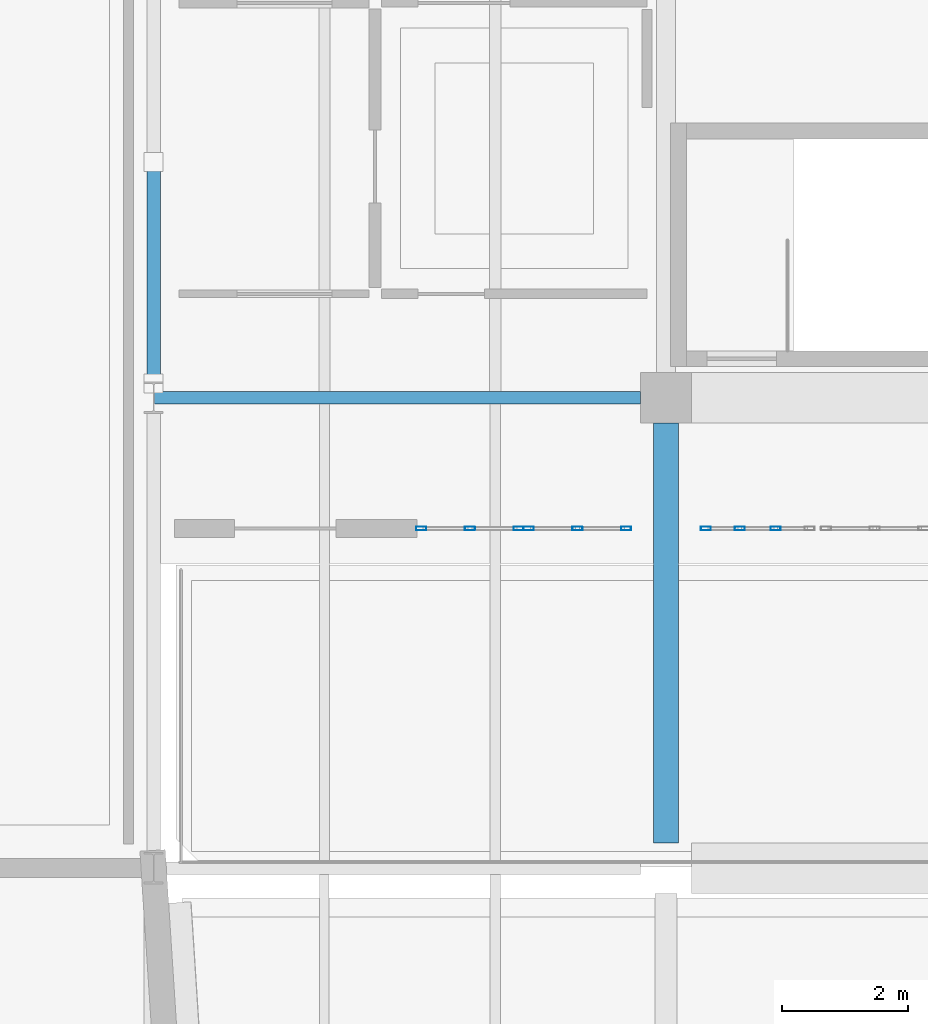
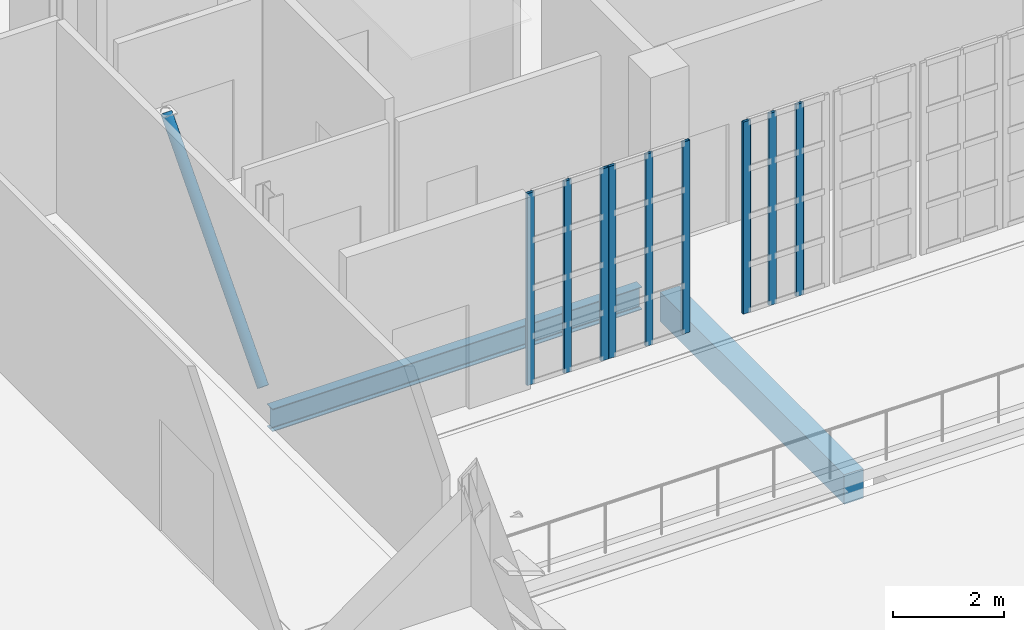
# One storey, part 7 of 56: 10 members, 2 beams, 3 elements without a shape of their own.
"""IFC4 building model written with IfcOpenShell, lengths in metres."""

from ifc_helpers import new_model, si_unit, direction, frame, origin, origin_2d, place, context, subcontext, project, spatial, rectangle, hollow_rectangle, hollow_circle, i_section, extrude, material, material_profile, profile_set, type_object, element, aggregate, save


model = new_model("IFC4")

# Units and contexts
model_context = context("Model", 3, precision=1e-05, world=origin(), true_north=direction((0.0, 1.0)))
body_context = subcontext(model_context, "Body", "Model", "MODEL_VIEW")
ifc_project = project(units=[si_unit("LENGTHUNIT", "METRE"), si_unit("AREAUNIT", "SQUARE_METRE"), si_unit("VOLUMEUNIT", "CUBIC_METRE"), si_unit("PLANEANGLEUNIT", "RADIAN"), si_unit("MASSUNIT", "GRAM", prefix="KILO")], contexts=[model_context])

# Site, building, storey
site_placement = place(None, origin())
site = spatial("IfcSite", under=ifc_project, at=site_placement, CompositionType="ELEMENT")
building_placement = place(site_placement, origin())
building = spatial("IfcBuilding", under=site, at=building_placement, Name="Kaelora Sail Theatre", CompositionType="ELEMENT")
storey_placement = place(building_placement, frame((0.0, 0.0, 14.699951171875)))
storey = spatial("IfcBuildingStorey", under=building, at=storey_placement, Name="L03", CompositionType="ELEMENT", Elevation=14.699951171875)

# Curtain wall, members
ifc_material_1 = material(Name="Anodised aluminium and solar-control low-E IGU", Category="aluminium")
curtain_wall_type = type_object("IfcCurtainWallType", Name="ARC-CW-CW-BRG", PredefinedType="NOTDEFINED", material=ifc_material_1)
curtain_wall_1_placement = place(storey_placement, origin())
curtain_wall_1 = element("IfcCurtainWall", 1, at=curtain_wall_1_placement, inside=storey, type_object=curtain_wall_type, Name="Glazed Foyer/Conservatory Curtain Wall FC1-S-L03-01", PredefinedType="NOTDEFINED")
ifc_material_2 = material(Name="Anodised aluminium 6063-T6", Category="aluminium")
ifc_material_profile_1 = material_profile(ifc_material_2, hollow_rectangle(XDim=0.06005859375, YDim=0.159912109375, WallThickness=0.00390625, InnerFilletRadius=0.00390625, OuterFilletRadius=0.008056640625, at=origin_2d()), Name="ALU-MULL 60x160x4")
ifc_profile_set_1 = profile_set([ifc_material_profile_1], Name="Anodised aluminium 6063-T6")
member_type_1 = type_object("IfcMemberType", Name="ARC-MEM-ML-160", PredefinedType="MULLION", material=ifc_profile_set_1)
member_1_placement = place(storey_placement, frame((62.429931640625, 66.389892578125, 0.0), z_axis=(0.0, 0.0, 1.0), x_axis=(0.0, 1.0, 0.0)))
member_1 = element("IfcMember", 2, at=member_1_placement, type_object=member_type_1, Name="CW-BRG mullion 1", PredefinedType="MULLION", context=body_context, shape_type="SweptSolid", body=[
    extrude(hollow_rectangle(XDim=0.06005859375, YDim=0.159912109375, WallThickness=0.00390625, InnerFilletRadius=0.00390625, OuterFilletRadius=0.008056640625, at=origin_2d()), origin(), (0.0, 0.0, 1.0), 4.22509765625),
])
member_2_placement = place(storey_placement, frame((63.199951171875, 66.389892578125, 0.0), z_axis=(0.0, 0.0, 1.0), x_axis=(0.0, 1.0, 0.0)))
member_2 = element("IfcMember", 3, at=member_2_placement, type_object=member_type_1, Name="CW-BRG mullion 2", PredefinedType="MULLION", context=body_context, shape_type="SweptSolid", body=[
    extrude(hollow_rectangle(XDim=0.06005859375, YDim=0.159912109375, WallThickness=0.00390625, InnerFilletRadius=0.00390625, OuterFilletRadius=0.008056640625, at=origin_2d()), origin(), (0.0, 0.0, 1.0), 4.22509765625),
])
member_3_placement = place(storey_placement, frame((63.969970703125, 66.389892578125, 0.0), z_axis=(0.0, 0.0, 1.0), x_axis=(0.0, 1.0, 0.0)))
member_3 = element("IfcMember", 4, at=member_3_placement, type_object=member_type_1, Name="CW-BRG mullion 3", PredefinedType="MULLION", context=body_context, shape_type="SweptSolid", body=[
    extrude(hollow_rectangle(XDim=0.06005859375, YDim=0.159912109375, WallThickness=0.00390625, InnerFilletRadius=0.00390625, OuterFilletRadius=0.008056640625, at=origin_2d()), origin(), (0.0, 0.0, 1.0), 4.22509765625),
])
aggregate(curtain_wall_1, [member_1, member_2, member_3])

curtain_wall_2_placement = place(storey_placement, origin())
curtain_wall_2 = element("IfcCurtainWall", 5, at=curtain_wall_2_placement, inside=storey, type_object=curtain_wall_type, Name="Glazed Foyer/Conservatory Curtain Wall FC1-S-L03-02", PredefinedType="NOTDEFINED")
member_4_placement = place(storey_placement, frame((64.1298828125, 66.389892578125, 0.0), z_axis=(0.0, 0.0, 1.0), x_axis=(0.0, 1.0, 0.0)))
member_4 = element("IfcMember", 6, at=member_4_placement, type_object=member_type_1, Name="CW-BRG mullion 1", PredefinedType="MULLION", context=body_context, shape_type="SweptSolid", body=[
    extrude(hollow_rectangle(XDim=0.06005859375, YDim=0.159912109375, WallThickness=0.00390625, InnerFilletRadius=0.00390625, OuterFilletRadius=0.008056640625, at=origin_2d()), origin(), (0.0, 0.0, 1.0), 4.22509765625),
])
member_5_placement = place(storey_placement, frame((64.89990234375, 66.389892578125, 0.0), z_axis=(0.0, 0.0, 1.0), x_axis=(0.0, 1.0, 0.0)))
member_5 = element("IfcMember", 7, at=member_5_placement, type_object=member_type_1, Name="CW-BRG mullion 2", PredefinedType="MULLION", context=body_context, shape_type="SweptSolid", body=[
    extrude(hollow_rectangle(XDim=0.06005859375, YDim=0.159912109375, WallThickness=0.00390625, InnerFilletRadius=0.00390625, OuterFilletRadius=0.008056640625, at=origin_2d()), origin(), (0.0, 0.0, 1.0), 4.22509765625),
])
member_6_placement = place(storey_placement, frame((65.669921875, 66.389892578125, 0.0), z_axis=(0.0, 0.0, 1.0), x_axis=(0.0, 1.0, 0.0)))
member_6 = element("IfcMember", 8, at=member_6_placement, type_object=member_type_1, Name="CW-BRG mullion 3", PredefinedType="MULLION", context=body_context, shape_type="SweptSolid", body=[
    extrude(hollow_rectangle(XDim=0.06005859375, YDim=0.159912109375, WallThickness=0.00390625, InnerFilletRadius=0.00390625, OuterFilletRadius=0.008056640625, at=origin_2d()), origin(), (0.0, 0.0, 1.0), 4.22509765625),
])
aggregate(curtain_wall_2, [member_4, member_5, member_6])

curtain_wall_3_placement = place(storey_placement, origin())
curtain_wall_3 = element("IfcCurtainWall", 9, at=curtain_wall_3_placement, inside=storey, type_object=curtain_wall_type, Name="Glazed Foyer/Conservatory Curtain Wall FC1-S-L03-03", PredefinedType="NOTDEFINED")
member_7_placement = place(storey_placement, frame((66.929931640625, 66.389892578125, 0.0), z_axis=(0.0, 0.0, 1.0), x_axis=(0.0, 1.0, 0.0)))
member_7 = element("IfcMember", 10, at=member_7_placement, type_object=member_type_1, Name="CW-BRG mullion 1", PredefinedType="MULLION", context=body_context, shape_type="SweptSolid", body=[
    extrude(hollow_rectangle(XDim=0.06005859375, YDim=0.159912109375, WallThickness=0.00390625, InnerFilletRadius=0.00390625, OuterFilletRadius=0.008056640625, at=origin_2d()), origin(), (0.0, 0.0, 1.0), 4.22509765625),
])
member_8_placement = place(storey_placement, frame((67.466552734375, 66.389892578125, 0.0), z_axis=(0.0, 0.0, 1.0), x_axis=(0.0, 1.0, 0.0)))
member_8 = element("IfcMember", 11, at=member_8_placement, type_object=member_type_1, Name="CW-BRG mullion 2", PredefinedType="MULLION", context=body_context, shape_type="SweptSolid", body=[
    extrude(hollow_rectangle(XDim=0.06005859375, YDim=0.159912109375, WallThickness=0.00390625, InnerFilletRadius=0.00390625, OuterFilletRadius=0.008056640625, at=origin_2d()), origin(), (0.0, 0.0, 1.0), 4.22509765625),
])
member_9_placement = place(storey_placement, frame((68.033447265625, 66.389892578125, 0.0), z_axis=(0.0, 0.0, 1.0), x_axis=(0.0, 1.0, 0.0)))
member_9 = element("IfcMember", 12, at=member_9_placement, type_object=member_type_1, Name="CW-BRG mullion 3", PredefinedType="MULLION", context=body_context, shape_type="SweptSolid", body=[
    extrude(hollow_rectangle(XDim=0.06005859375, YDim=0.159912109375, WallThickness=0.00390625, InnerFilletRadius=0.00390625, OuterFilletRadius=0.008056640625, at=origin_2d()), origin(), (0.0, 0.0, 1.0), 4.22509765625),
])
aggregate(curtain_wall_3, [member_7, member_8, member_9])

# Beams
ifc_material_3 = material(Name="Steel S355", Category="steel")
ifc_material_profile_2 = material_profile(ifc_material_3, i_section(OverallWidth=0.199951171875, OverallDepth=0.5, WebThickness=0.01025390625, FlangeThickness=0.01611328125, FilletRadius=0.02099609375, at=origin_2d()), Name="IPE 500")
ifc_profile_set_2 = profile_set([ifc_material_profile_2], Name="Steel S355")
beam_type_1 = type_object("IfcBeamType", Name="STR-BM-BM-IPE500", PredefinedType="BEAM", material=ifc_profile_set_2)
beam_1_placement = place(storey_placement, frame((58.208984375, 68.4599609375, -0.52490234375), z_axis=(1.0, 0.0, 0.0), x_axis=(0.0, 1.0, 0.0)))
element("IfcBeam", 13, at=beam_1_placement, inside=storey, type_object=beam_type_1, Name="Primary beam J 8-9 (L03)", PredefinedType="BEAM", context=body_context, shape_type="SweptSolid", body=[
    extrude(i_section(OverallWidth=0.199951171875, OverallDepth=0.5, WebThickness=0.01025390625, FlangeThickness=0.01611328125, FilletRadius=0.02099609375, at=origin_2d()), origin(), (0.0, 0.0, 1.0), 7.69091796875),
])
ifc_material_4 = material(Name="Concrete C40/50", Category="concrete")
ifc_material_profile_3 = material_profile(ifc_material_4, rectangle(XDim=0.39990234375, YDim=0.64990234375, at=origin_2d()), Name="RC-BM 400x650")
ifc_profile_set_3 = profile_set([ifc_material_profile_3], Name="Concrete C40/50")
beam_type_2 = type_object("IfcBeamType", Name="STR-BM-BM-RC4065", PredefinedType="BEAM", material=ifc_profile_set_3)
beam_2_placement = place(storey_placement, frame((66.300048828125, 61.419921875, -0.599853515625), z_axis=(0.0, 1.0, 0.0), x_axis=(-1.0, 0.0, 0.0)))
element("IfcBeam", 14, at=beam_2_placement, inside=storey, type_object=beam_type_2, Name="Primary beam 9 I-J (L03)", PredefinedType="BEAM", context=body_context, shape_type="SweptSolid", body=[
    extrude(rectangle(XDim=0.39990234375, YDim=0.64990234375, at=origin_2d()), origin(), (0.0, 0.0, 1.0), 6.64013671875),
])

# Member
ifc_material_5 = material(Name="Steel S355", Category="steel")
ifc_material_profile_4 = material_profile(ifc_material_5, hollow_circle(Radius=0.109619140625, WallThickness=0.010009765625, at=origin_2d()), Name="CHS 219.1x10.0")
ifc_profile_set_4 = profile_set([ifc_material_profile_4], Name="Steel S355")
member_type_2 = type_object("IfcMemberType", Name="STR-MEM-BR-CHS219", PredefinedType="BRACE", material=ifc_profile_set_4)
member_10_placement = place(storey_placement, frame((58.199951171875, 68.68994140625, 0.02001953125), z_axis=(0.0, 0.664476352535, 0.74730929134), x_axis=(-1.0, 0.0, 0.0)))
element("IfcMember", 15, at=member_10_placement, inside=storey, type_object=member_type_2, Name="Fly Tower chevron brace L03 EM1", PredefinedType="BRACE", context=body_context, shape_type="SweptSolid", body=[
    extrude(hollow_circle(Radius=0.109619140625, WallThickness=0.010009765625, at=origin_2d()), origin(), (0.0, 0.0, 1.0), 5.252197265625),
])

save(model, "model.ifc")
